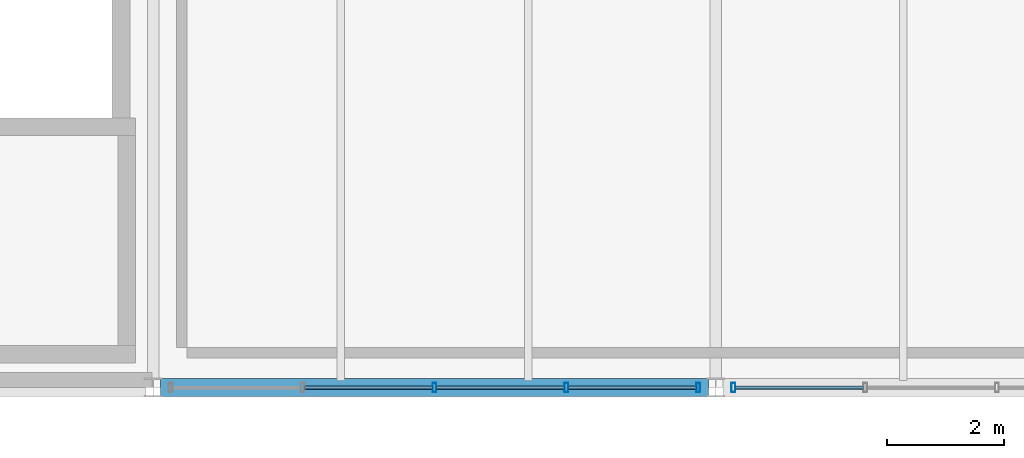
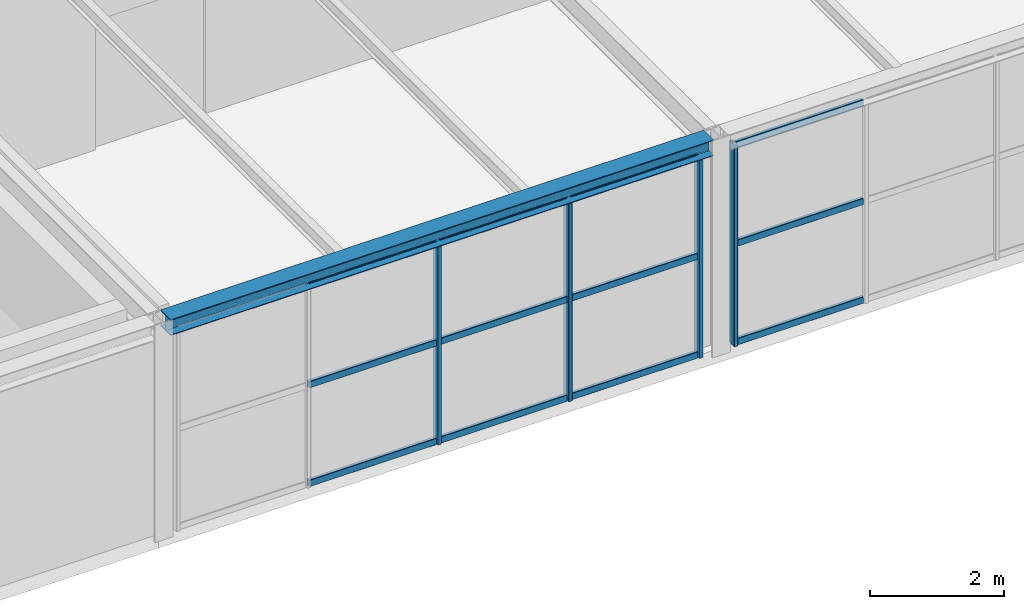
# One storey, part 18 of 50: 16 members, 1 beam, 2 elements without a shape of their own.
"""IFC4 building model written with IfcOpenShell, lengths in metres."""

from ifc_helpers import new_model, si_unit, direction, frame, origin, origin_2d, place, context, subcontext, project, spatial, hollow_rectangle, i_section, extrude, material, material_profile, profile_set, type_object, element, aggregate, save


model = new_model("IFC4")

# Units and contexts
model_context = context("Model", 3, precision=1e-05, world=origin(), true_north=direction((0.0, 1.0)))
body_context = subcontext(model_context, "Body", "Model", "MODEL_VIEW")
ifc_project = project(units=[si_unit("LENGTHUNIT", "METRE"), si_unit("AREAUNIT", "SQUARE_METRE"), si_unit("VOLUMEUNIT", "CUBIC_METRE"), si_unit("PLANEANGLEUNIT", "RADIAN"), si_unit("MASSUNIT", "GRAM", prefix="KILO")], contexts=[model_context])

# Site, building, storey
site_placement = place(None, origin())
site = spatial("IfcSite", under=ifc_project, at=site_placement, CompositionType="ELEMENT")
building_placement = place(site_placement, origin())
building = spatial("IfcBuilding", under=site, at=building_placement, Name="Coralgate Yard Interchange", CompositionType="ELEMENT")
storey_placement = place(building_placement, frame((0.0, 0.0, 14.699951171875)))
storey = spatial("IfcBuildingStorey", under=building, at=storey_placement, Name="L03", CompositionType="ELEMENT", Elevation=14.699951171875)

# Beam
ifc_material_1 = material(Name="Structural steel S355J2", Category="steel")
ifc_material_profile_1 = material_profile(ifc_material_1, i_section(OverallWidth=0.300048828125, OverallDepth=0.2900390625, WebThickness=0.008544921875, FlangeThickness=0.013916015625, FilletRadius=0.027099609375, at=origin_2d()), Name="HEA 300")
ifc_profile_set_1 = profile_set([ifc_material_profile_1], Name="Structural steel S355J2")
beam_type = type_object("IfcBeamType", Name="BM-SP-2", PredefinedType="SPANDREL", material=ifc_profile_set_1)
beam_placement = place(storey_placement, frame((28.925537109375, 0.0, 3.804931640625), z_axis=(1.0, 0.0, 0.0), x_axis=(0.0, 1.0, 0.0)))
element("IfcBeam", 1, at=beam_placement, inside=storey, type_object=beam_type, Name="L03 primary grid beam Y0 X3-4", PredefinedType="SPANDREL", context=body_context, shape_type="SweptSolid", body=[
    extrude(i_section(OverallWidth=0.300048828125, OverallDepth=0.2900390625, WebThickness=0.008544921875, FlangeThickness=0.013916015625, FilletRadius=0.027099609375, at=origin_2d()), origin(), (0.0, 0.0, 1.0), 9.348876953125),
])

# Curtain wall, members
ifc_material_2 = material(Name="Anodised coastal aluminium and solar-control low-E glass", Category="aluminium")
curtain_wall_type = type_object("IfcCurtainWallType", Name="CW-CW-L03-A", PredefinedType="NOTDEFINED", material=ifc_material_2)
curtain_wall_1_placement = place(storey_placement, origin())
curtain_wall_1 = element("IfcCurtainWall", 2, at=curtain_wall_1_placement, inside=storey, type_object=curtain_wall_type, Name="L03 unitised curtain wall CW-L03-S-03-00", PredefinedType="NOTDEFINED")
ifc_material_3 = material(Name="Anodised coastal aluminium 6063-T6", Category="aluminium")
ifc_material_profile_2 = material_profile(ifc_material_3, hollow_rectangle(XDim=0.06494140625, YDim=0.159912109375, WallThickness=0.00390625, InnerFilletRadius=0.00390625, OuterFilletRadius=0.008056640625, at=origin_2d()), Name="ALU 65x160x4")
ifc_profile_set_2 = profile_set([ifc_material_profile_2], Name="Anodised coastal aluminium 6063-T6")
member_type_1 = type_object("IfcMemberType", Name="MB-MUL-160", PredefinedType="MULLION", material=ifc_profile_set_2)
member_1_placement = place(storey_placement, frame((38.10009765625, 0.0, 0.0), z_axis=(0.0, 0.0, 1.0), x_axis=(1.0, 0.0, 0.0)))
member_1 = element("IfcMember", 3, at=member_1_placement, type_object=member_type_1, Name="CW-L03-S-03-00 vertical mullion 1", PredefinedType="MULLION", context=body_context, shape_type="SweptSolid", body=[
    extrude(hollow_rectangle(XDim=0.06494140625, YDim=0.159912109375, WallThickness=0.00390625, InnerFilletRadius=0.00390625, OuterFilletRadius=0.008056640625, at=origin_2d()), origin(), (0.0, 0.0, 1.0), 3.66015625),
])
member_2_placement = place(storey_placement, frame((35.85009765625, 0.0, 0.0), z_axis=(0.0, 0.0, 1.0), x_axis=(1.0, 0.0, 0.0)))
member_2 = element("IfcMember", 4, at=member_2_placement, type_object=member_type_1, Name="CW-L03-S-03-00 vertical mullion 2", PredefinedType="MULLION", context=body_context, shape_type="SweptSolid", body=[
    extrude(hollow_rectangle(XDim=0.06494140625, YDim=0.159912109375, WallThickness=0.00390625, InnerFilletRadius=0.00390625, OuterFilletRadius=0.008056640625, at=origin_2d()), origin(), (0.0, 0.0, 1.0), 3.66015625),
])
member_3_placement = place(storey_placement, frame((33.60009765625, 0.0, 0.0), z_axis=(0.0, 0.0, 1.0), x_axis=(1.0, 0.0, 0.0)))
member_3 = element("IfcMember", 5, at=member_3_placement, type_object=member_type_1, Name="CW-L03-S-03-00 vertical mullion 3", PredefinedType="MULLION", context=body_context, shape_type="SweptSolid", body=[
    extrude(hollow_rectangle(XDim=0.06494140625, YDim=0.159912109375, WallThickness=0.00390625, InnerFilletRadius=0.00390625, OuterFilletRadius=0.008056640625, at=origin_2d()), origin(), (0.0, 0.0, 1.0), 3.66015625),
])

# Curtain wall, member
curtain_wall_2_placement = place(storey_placement, origin())
curtain_wall_2 = element("IfcCurtainWall", 6, at=curtain_wall_2_placement, inside=storey, type_object=curtain_wall_type, Name="L03 unitised curtain wall CW-L03-S-04-00", PredefinedType="NOTDEFINED")
member_4_placement = place(storey_placement, frame((38.699951171875, 0.0, 0.0), z_axis=(0.0, 0.0, 1.0), x_axis=(1.0, 0.0, 0.0)))
member_4 = element("IfcMember", 7, at=member_4_placement, type_object=member_type_1, Name="CW-L03-S-04-00 vertical mullion 5", PredefinedType="MULLION", context=body_context, shape_type="SweptSolid", body=[
    extrude(hollow_rectangle(XDim=0.06494140625, YDim=0.159912109375, WallThickness=0.00390625, InnerFilletRadius=0.00390625, OuterFilletRadius=0.008056640625, at=origin_2d()), origin(), (0.0, 0.0, 1.0), 3.66015625),
])

# Member
ifc_material_profile_3 = material_profile(ifc_material_3, hollow_rectangle(XDim=0.06005859375, YDim=0.1201171875, WallThickness=0.00341796875, InnerFilletRadius=0.00341796875, OuterFilletRadius=0.007080078125, at=origin_2d()), Name="ALU 60x120x3.5")
ifc_profile_set_3 = profile_set([ifc_material_profile_3], Name="Anodised coastal aluminium 6063-T6")
member_type_2 = type_object("IfcMemberType", Name="MB-TRN-120", PredefinedType="USERDEFINED", material=ifc_profile_set_3)
member_5_placement = place(storey_placement, frame((38.070068359375, 0.0, 0.03515625), z_axis=(-1.0, 0.0, 0.0), x_axis=(0.0, -1.0, 0.0)))
member_5 = element("IfcMember", 8, at=member_5_placement, type_object=member_type_2, Name="CW-L03-S-03-00 horizontal transom 1-1", ObjectType="TRANSOM", PredefinedType="USERDEFINED", context=body_context, shape_type="SweptSolid", body=[
    extrude(hollow_rectangle(XDim=0.06005859375, YDim=0.1201171875, WallThickness=0.00341796875, InnerFilletRadius=0.00341796875, OuterFilletRadius=0.007080078125, at=origin_2d()), origin(), (0.0, 0.0, 1.0), 2.190185546875),
])

member_6_placement = place(storey_placement, frame((38.070068359375, 0.0, 1.830078125), z_axis=(-1.0, 0.0, 0.0), x_axis=(0.0, -1.0, 0.0)))
member_6 = element("IfcMember", 9, at=member_6_placement, type_object=member_type_2, Name="CW-L03-S-03-00 horizontal transom 1-2", ObjectType="TRANSOM", PredefinedType="USERDEFINED", context=body_context, shape_type="SweptSolid", body=[
    extrude(hollow_rectangle(XDim=0.06005859375, YDim=0.1201171875, WallThickness=0.00341796875, InnerFilletRadius=0.00341796875, OuterFilletRadius=0.007080078125, at=origin_2d()), origin(), (0.0, 0.0, 1.0), 2.190185546875),
])

member_7_placement = place(storey_placement, frame((38.070068359375, 0.0, 3.625), z_axis=(-1.0, 0.0, 0.0), x_axis=(0.0, -1.0, 0.0)))
member_7 = element("IfcMember", 10, at=member_7_placement, type_object=member_type_2, Name="CW-L03-S-03-00 horizontal transom 1-3", ObjectType="TRANSOM", PredefinedType="USERDEFINED", context=body_context, shape_type="SweptSolid", body=[
    extrude(hollow_rectangle(XDim=0.06005859375, YDim=0.1201171875, WallThickness=0.00341796875, InnerFilletRadius=0.00341796875, OuterFilletRadius=0.007080078125, at=origin_2d()), origin(), (0.0, 0.0, 1.0), 2.190185546875),
])

member_8_placement = place(storey_placement, frame((35.820068359375, 0.0, 0.03515625), z_axis=(-1.0, 0.0, 0.0), x_axis=(0.0, -1.0, 0.0)))
member_8 = element("IfcMember", 11, at=member_8_placement, type_object=member_type_2, Name="CW-L03-S-03-00 horizontal transom 2-1", ObjectType="TRANSOM", PredefinedType="USERDEFINED", context=body_context, shape_type="SweptSolid", body=[
    extrude(hollow_rectangle(XDim=0.06005859375, YDim=0.1201171875, WallThickness=0.00341796875, InnerFilletRadius=0.00341796875, OuterFilletRadius=0.007080078125, at=origin_2d()), origin(), (0.0, 0.0, 1.0), 2.190185546875),
])

member_9_placement = place(storey_placement, frame((35.820068359375, 0.0, 1.830078125), z_axis=(-1.0, 0.0, 0.0), x_axis=(0.0, -1.0, 0.0)))
member_9 = element("IfcMember", 12, at=member_9_placement, type_object=member_type_2, Name="CW-L03-S-03-00 horizontal transom 2-2", ObjectType="TRANSOM", PredefinedType="USERDEFINED", context=body_context, shape_type="SweptSolid", body=[
    extrude(hollow_rectangle(XDim=0.06005859375, YDim=0.1201171875, WallThickness=0.00341796875, InnerFilletRadius=0.00341796875, OuterFilletRadius=0.007080078125, at=origin_2d()), origin(), (0.0, 0.0, 1.0), 2.190185546875),
])

member_10_placement = place(storey_placement, frame((35.820068359375, 0.0, 3.625), z_axis=(-1.0, 0.0, 0.0), x_axis=(0.0, -1.0, 0.0)))
member_10 = element("IfcMember", 13, at=member_10_placement, type_object=member_type_2, Name="CW-L03-S-03-00 horizontal transom 2-3", ObjectType="TRANSOM", PredefinedType="USERDEFINED", context=body_context, shape_type="SweptSolid", body=[
    extrude(hollow_rectangle(XDim=0.06005859375, YDim=0.1201171875, WallThickness=0.00341796875, InnerFilletRadius=0.00341796875, OuterFilletRadius=0.007080078125, at=origin_2d()), origin(), (0.0, 0.0, 1.0), 2.190185546875),
])

member_11_placement = place(storey_placement, frame((33.570068359375, 0.0, 0.03515625), z_axis=(-1.0, 0.0, 0.0), x_axis=(0.0, -1.0, 0.0)))
member_11 = element("IfcMember", 14, at=member_11_placement, type_object=member_type_2, Name="CW-L03-S-03-00 horizontal transom 3-1", ObjectType="TRANSOM", PredefinedType="USERDEFINED", context=body_context, shape_type="SweptSolid", body=[
    extrude(hollow_rectangle(XDim=0.06005859375, YDim=0.1201171875, WallThickness=0.00341796875, InnerFilletRadius=0.00341796875, OuterFilletRadius=0.007080078125, at=origin_2d()), origin(), (0.0, 0.0, 1.0), 2.190185546875),
])

member_12_placement = place(storey_placement, frame((33.570068359375, 0.0, 1.830078125), z_axis=(-1.0, 0.0, 0.0), x_axis=(0.0, -1.0, 0.0)))
member_12 = element("IfcMember", 15, at=member_12_placement, type_object=member_type_2, Name="CW-L03-S-03-00 horizontal transom 3-2", ObjectType="TRANSOM", PredefinedType="USERDEFINED", context=body_context, shape_type="SweptSolid", body=[
    extrude(hollow_rectangle(XDim=0.06005859375, YDim=0.1201171875, WallThickness=0.00341796875, InnerFilletRadius=0.00341796875, OuterFilletRadius=0.007080078125, at=origin_2d()), origin(), (0.0, 0.0, 1.0), 2.190185546875),
])

member_13_placement = place(storey_placement, frame((33.570068359375, 0.0, 3.625), z_axis=(-1.0, 0.0, 0.0), x_axis=(0.0, -1.0, 0.0)))
member_13 = element("IfcMember", 16, at=member_13_placement, type_object=member_type_2, Name="CW-L03-S-03-00 horizontal transom 3-3", ObjectType="TRANSOM", PredefinedType="USERDEFINED", context=body_context, shape_type="SweptSolid", body=[
    extrude(hollow_rectangle(XDim=0.06005859375, YDim=0.1201171875, WallThickness=0.00341796875, InnerFilletRadius=0.00341796875, OuterFilletRadius=0.007080078125, at=origin_2d()), origin(), (0.0, 0.0, 1.0), 2.190185546875),
])

aggregate(curtain_wall_1, [member_1, member_2, member_3, member_5, member_6, member_7, member_8, member_9, member_10, member_11, member_12, member_13])

member_14_placement = place(storey_placement, frame((40.919921875, 0.0, 0.03515625), z_axis=(-1.0, 0.0, 0.0), x_axis=(0.0, -1.0, 0.0)))
member_14 = element("IfcMember", 17, at=member_14_placement, type_object=member_type_2, Name="CW-L03-S-04-00 horizontal transom 4-1", ObjectType="TRANSOM", PredefinedType="USERDEFINED", context=body_context, shape_type="SweptSolid", body=[
    extrude(hollow_rectangle(XDim=0.06005859375, YDim=0.1201171875, WallThickness=0.00341796875, InnerFilletRadius=0.00341796875, OuterFilletRadius=0.007080078125, at=origin_2d()), origin(), (0.0, 0.0, 1.0), 2.18994140625),
])

member_15_placement = place(storey_placement, frame((40.919921875, 0.0, 1.830078125), z_axis=(-1.0, 0.0, 0.0), x_axis=(0.0, -1.0, 0.0)))
member_15 = element("IfcMember", 18, at=member_15_placement, type_object=member_type_2, Name="CW-L03-S-04-00 horizontal transom 4-2", ObjectType="TRANSOM", PredefinedType="USERDEFINED", context=body_context, shape_type="SweptSolid", body=[
    extrude(hollow_rectangle(XDim=0.06005859375, YDim=0.1201171875, WallThickness=0.00341796875, InnerFilletRadius=0.00341796875, OuterFilletRadius=0.007080078125, at=origin_2d()), origin(), (0.0, 0.0, 1.0), 2.18994140625),
])

member_16_placement = place(storey_placement, frame((40.919921875, 0.0, 3.625), z_axis=(-1.0, 0.0, 0.0), x_axis=(0.0, -1.0, 0.0)))
member_16 = element("IfcMember", 19, at=member_16_placement, type_object=member_type_2, Name="CW-L03-S-04-00 horizontal transom 4-3", ObjectType="TRANSOM", PredefinedType="USERDEFINED", context=body_context, shape_type="SweptSolid", body=[
    extrude(hollow_rectangle(XDim=0.06005859375, YDim=0.1201171875, WallThickness=0.00341796875, InnerFilletRadius=0.00341796875, OuterFilletRadius=0.007080078125, at=origin_2d()), origin(), (0.0, 0.0, 1.0), 2.18994140625),
])

aggregate(curtain_wall_2, [member_4, member_14, member_15, member_16])

save(model, "model.ifc")
